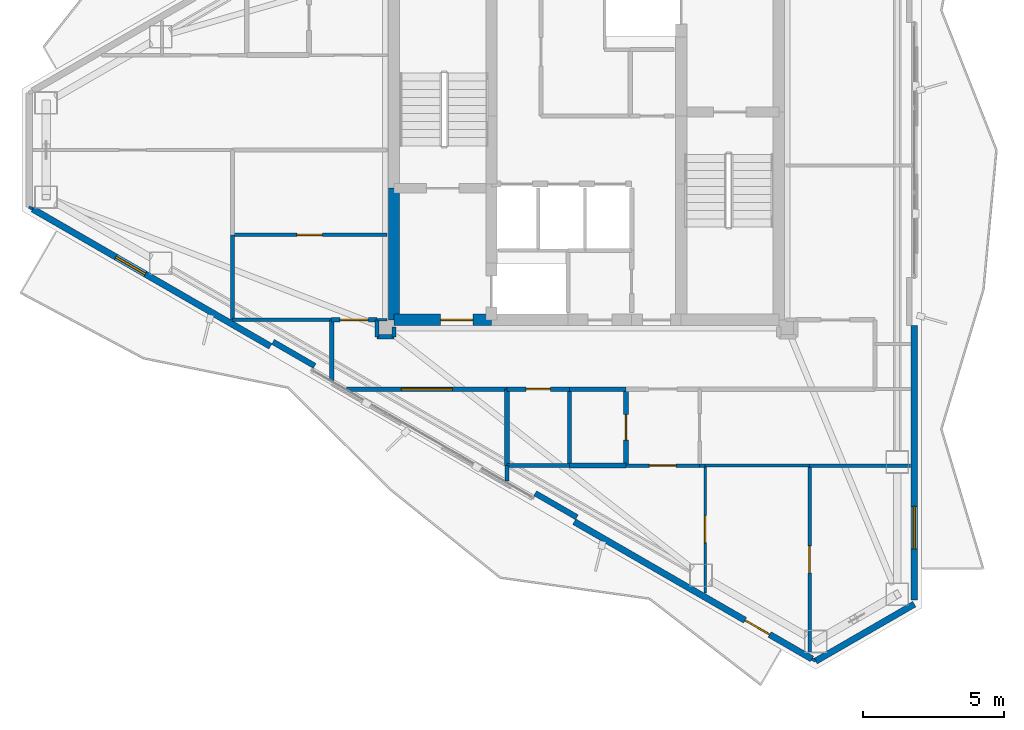
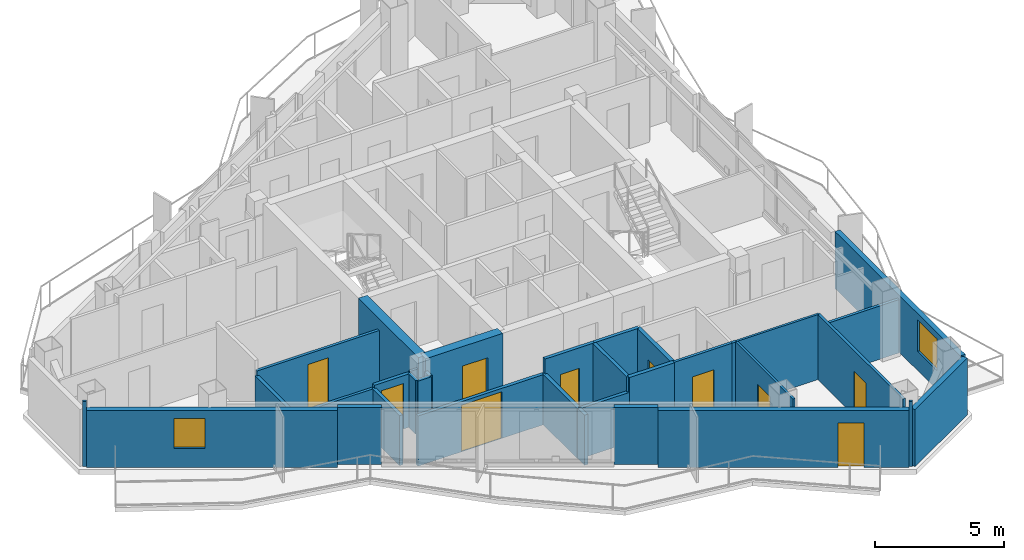
# One storey, part 16 of 22: 34 walls, 10 doors, 2 windows, 12 openings.
"""IFC4 building model written with IfcOpenShell, lengths in metres."""

from ifc_helpers import new_model, si_unit, direction, frame, frame_2d, origin, place, context, subcontext, project, spatial, rectangle, extrude, material, layer, layer_set, type_object, element, fill, save


model = new_model("IFC4")

# Units and contexts
model_context = context("Model", 3, precision=1e-05, world=origin(), true_north=direction((0.0, 1.0)))
body_context = subcontext(model_context, "Body", "Model", "MODEL_VIEW")
ifc_project = project(units=[si_unit("LENGTHUNIT", "METRE"), si_unit("AREAUNIT", "SQUARE_METRE"), si_unit("VOLUMEUNIT", "CUBIC_METRE"), si_unit("PLANEANGLEUNIT", "RADIAN"), si_unit("MASSUNIT", "GRAM", prefix="KILO")], contexts=[model_context])

# Site, building, storey
site_placement = place(None, origin())
site = spatial("IfcSite", under=ifc_project, at=site_placement, CompositionType="ELEMENT")
building_placement = place(site_placement, origin())
building = spatial("IfcBuilding", under=site, at=building_placement, Name="Mersakhor Tower and Convention Hall", CompositionType="ELEMENT")
storey_placement = place(building_placement, frame((0.0, 0.0, 198.60009765625)))
storey = spatial("IfcBuildingStorey", under=building, at=storey_placement, Name="L55", CompositionType="ELEMENT", Elevation=198.60009765625)

# Wall
ifc_material_1 = material(Name="Precast concrete C40/50", Category="concrete")
ifc_layer_1 = layer(ifc_material_1, 0.22509765625)
ifc_layer_set_1 = layer_set([ifc_layer_1], Name="Precast concrete C40/50")
wall_type_1 = type_object("IfcWallType", Name="WL-EXT-225", PredefinedType="SOLIDWALL", material=ifc_layer_set_1)
wall_1_placement = place(storey_placement, frame((40.58837890625, 10.70166015625, 0.0), z_axis=(0.0, 0.0, 1.0), x_axis=(-0.866023907196, -0.500002592159, 0.0)))
element("IfcWall", 1, at=wall_1_placement, inside=storey, type_object=wall_type_1, Name="L55 Chamfer Braced Spandrel Wall C2", PredefinedType="SOLIDWALL", context=body_context, shape_type="SweptSolid", body=[
    extrude(rectangle(XDim=4.0234375, YDim=0.22509765625, at=frame_2d((2.01171875, 0.0))), origin(), (0.0, 0.0, 1.0), 2.68994140625),
])

# Wall, opening, window
wall_2_placement = place(storey_placement, frame((40.58837890625, 20.550537109375, 0.0), z_axis=(0.0, 0.0, 1.0), x_axis=(0.0, -1.0, 0.0)))
wall_2 = element("IfcWall", 2, at=wall_2_placement, inside=storey, type_object=wall_type_1, Name="L55 Exterior Facade Wall F2-B3", PredefinedType="SOLIDWALL", context=body_context, shape_type="SweptSolid", body=[
    extrude(rectangle(XDim=9.698974609375, YDim=0.22509765625, at=frame_2d((4.849609375, 0.0))), origin(), (0.0, 0.0, 1.0), 2.68994140625),
])
opening_1_placement = place(wall_2_placement, frame((6.39501953125, 0.0, 0.89990234375)))
opening_1 = element("IfcOpeningElement", 3, at=opening_1_placement, cuts=wall_2, Name="Opening W-02", PredefinedType="OPENING", context=body_context, shape_type="SweptSolid", body=[
    extrude(rectangle(XDim=1.5, YDim=1.5, at=frame_2d((0.75, 0.75))), frame((0.0, 0.12255859375, 0.0), z_axis=(0.0, -1.0, 0.0), x_axis=(1.0, 0.0, 0.0)), (0.0, 0.0, 1.0), 0.2451171875),
])
ifc_material_2 = material(Name="Dark solar low-E glazed aluminium window", Category="aluminium")
window_type_1 = type_object("IfcWindowType", Name="WN-RES-150x150", PartitioningType="SINGLE_PANEL", PredefinedType="WINDOW", material=ifc_material_2)
window_1_placement = place(opening_1_placement, origin())
window_1 = element("IfcWindow", 4, at=window_1_placement, inside=storey, type_object=window_type_1, Name="L55 Facade Punched Window F2-B3", OverallHeight=1.5, OverallWidth=1.5, PartitioningType="SINGLE_PANEL", PredefinedType="WINDOW", context=body_context, shape_type="SweptSolid", body=[
    extrude(rectangle(XDim=1.5, YDim=1.5, at=frame_2d((0.75, 0.75))), frame((0.0, 0.030029296875, 0.0), z_axis=(0.0, -1.0, 0.0), x_axis=(1.0, 0.0, 0.0)), (0.0, 0.0, 1.0), 0.06005859375),
])
fill(opening_1, window_1)

# Wall, opening, door
wall_3_placement = place(storey_placement, frame((36.97412109375, 8.764892578125, 0.0), z_axis=(0.0, 0.0, 1.0), x_axis=(-0.866016233231, 0.500015883528, 0.0)))
wall_3 = element("IfcWall", 5, at=wall_3_placement, inside=storey, type_object=wall_type_1, Name="L55 Exterior Facade Wall F3-B1", PredefinedType="SOLIDWALL", context=body_context, shape_type="SweptSolid", body=[
    extrude(rectangle(XDim=9.698974609375, YDim=0.22509765625, at=frame_2d((4.849609375, 0.0))), origin(), (0.0, 0.0, 1.0), 2.68994140625),
])
opening_2_placement = place(wall_3_placement, frame((1.72998046875, 0.0, 0.0)))
opening_2 = element("IfcOpeningElement", 6, at=opening_2_placement, cuts=wall_3, Name="Opening BD-01", PredefinedType="OPENING", context=body_context, shape_type="SweptSolid", body=[
    extrude(rectangle(XDim=1.0, YDim=2.10009765625, at=frame_2d((0.5, 1.050048828125))), frame((0.0, 0.12255859375, 0.0), z_axis=(0.0, -1.0, 0.0), x_axis=(1.0, 0.0, 0.0)), (0.0, 0.0, 1.0), 0.2451171875),
])
ifc_material_3 = material(Name="Thermally broken dark aluminium and safety glass", Category="aluminium")
door_type_1 = type_object("IfcDoorType", Name="DR-BAL-100x210", OperationType="NOTDEFINED", PredefinedType="DOOR", material=ifc_material_3)
door_1_placement = place(opening_2_placement, origin())
door_1 = element("IfcDoor", 7, at=door_1_placement, inside=storey, type_object=door_type_1, Name="L55 Balcony Terrace Door F3-B1", OperationType="SINGLE_SWING_LEFT", OverallHeight=2.10009765625, OverallWidth=1.0, PredefinedType="DOOR", context=body_context, shape_type="SweptSolid", body=[
    extrude(rectangle(XDim=1.0, YDim=2.10009765625, at=frame_2d((0.5, 1.050048828125))), frame((0.0, 0.02490234375, 0.0), z_axis=(0.0, -1.0, 0.0), x_axis=(1.0, 0.0, 0.0)), (0.0, 0.0, 1.0), 0.050048828125),
])
fill(opening_2, door_1)

# Wall, opening, window
wall_4_placement = place(storey_placement, frame((17.8369140625, 19.81396484375, 0.0), z_axis=(0.0, 0.0, 1.0), x_axis=(-0.866027133173, 0.499997004599, 0.0)))
wall_4 = element("IfcWall", 8, at=wall_4_placement, inside=storey, type_object=wall_type_1, Name="L55 Exterior Facade Wall F3-B3", PredefinedType="SOLIDWALL", context=body_context, shape_type="SweptSolid", body=[
    extrude(rectangle(XDim=9.69873046875, YDim=0.22509765625, at=frame_2d((4.849365234375, 0.0))), origin(), (0.0, 0.0, 1.0), 2.68994140625),
])
opening_3_placement = place(wall_4_placement, frame((5.10791015625, 0.0, 0.89990234375)))
opening_3 = element("IfcOpeningElement", 9, at=opening_3_placement, cuts=wall_4, Name="Opening W-01", PredefinedType="OPENING", context=body_context, shape_type="SweptSolid", body=[
    extrude(rectangle(XDim=1.199951171875, YDim=1.39990234375, at=frame_2d((0.60009765625, 0.699951171875))), frame((0.0, 0.12255859375, 0.0), z_axis=(0.0, -1.0, 0.0), x_axis=(1.0, 0.0, 0.0)), (0.0, 0.0, 1.0), 0.2451171875),
])
ifc_material_4 = material(Name="Dark solar low-E glazed aluminium window", Category="aluminium")
window_type_2 = type_object("IfcWindowType", Name="WN-RES-120x150", PartitioningType="SINGLE_PANEL", PredefinedType="WINDOW", material=ifc_material_4)
window_2_placement = place(opening_3_placement, origin())
window_2 = element("IfcWindow", 10, at=window_2_placement, inside=storey, type_object=window_type_2, Name="L55 Bedroom Facade Window F3-B3-1", OverallHeight=1.39990234375, OverallWidth=1.199951171875, PartitioningType="SINGLE_PANEL", PredefinedType="WINDOW", context=body_context, shape_type="SweptSolid", body=[
    extrude(rectangle(XDim=1.199951171875, YDim=1.39990234375, at=frame_2d((0.60009765625, 0.699951171875))), frame((0.0, 0.030029296875, 0.0), z_axis=(0.0, -1.0, 0.0), x_axis=(1.0, 0.0, 0.0)), (0.0, 0.0, 1.0), 0.06005859375),
])
fill(opening_3, window_2)

# Walls
ifc_material_5 = material(Name="Precast concrete C40/50", Category="concrete")
ifc_layer_2 = layer(ifc_material_5, 0.199951171875)
ifc_layer_set_2 = layer_set([ifc_layer_2], Name="Precast concrete C40/50")
wall_type_2 = type_object("IfcWallType", Name="WL-PAR-200", PredefinedType="PARAPET", material=ifc_layer_set_2)
wall_5_placement = place(storey_placement, frame((28.664794921875, 13.770263671875, 0.0), z_axis=(0.0, 0.0, 1.0), x_axis=(-0.866025371046, 0.500000056704, 0.0)))
element("IfcWall", 11, at=wall_5_placement, inside=storey, type_object=wall_type_2, Name="L55 Column Pier Cladding Wall F3-C1", PredefinedType="PARAPET", context=body_context, shape_type="SweptSolid", body=[
    extrude(rectangle(XDim=1.7001953125, YDim=0.199951171875, at=frame_2d((0.85009765625, 0.0))), origin(), (0.0, 0.0, 1.0), 2.68994140625),
])
wall_6_placement = place(storey_placement, frame((19.399169921875, 19.119873046875, 0.0), z_axis=(0.0, 0.0, 1.0), x_axis=(-0.86605165483, 0.499954529098, 0.0)))
element("IfcWall", 12, at=wall_6_placement, inside=storey, type_object=wall_type_2, Name="L55 Column Pier Cladding Wall F3-C2", PredefinedType="PARAPET", context=body_context, shape_type="SweptSolid", body=[
    extrude(rectangle(XDim=1.699951171875, YDim=0.199951171875, at=frame_2d((0.85009765625, 0.0))), origin(), (0.0, 0.0, 1.0), 2.68994140625),
])

# Wall, opening, door
ifc_material_6 = material(Name="Moisture-resistant acoustic drywall studwork", Category="other")
ifc_layer_3 = layer(ifc_material_6, 0.175048828125)
ifc_layer_set_3 = layer_set([ifc_layer_3], Name="Moisture-resistant acoustic drywall studwork")
wall_type_3 = type_object("IfcWallType", Name="WL-PLM-175", PredefinedType="PLUMBINGWALL", material=ifc_layer_set_3)
wall_7_placement = place(storey_placement, frame((30.39990234375, 15.60009765625, 0.0), z_axis=(0.0, 0.0, 1.0), x_axis=(0.0, 1.0, 0.0)))
wall_7 = element("IfcWall", 13, at=wall_7_placement, inside=storey, type_object=wall_type_3, Name="L55 Interior Partition Wall P-054", PredefinedType="PLUMBINGWALL", context=body_context, shape_type="SweptSolid", body=[
    extrude(rectangle(XDim=2.699951171875, YDim=0.175048828125, at=frame_2d((1.35009765625, 0.0))), origin(), (0.0, 0.0, 1.0), 3.06982421875),
])
opening_4_placement = place(wall_7_placement, frame((0.89990234375, 0.0, 0.0)))
opening_4 = element("IfcOpeningElement", 14, at=opening_4_placement, cuts=wall_7, Name="Opening WD-01", PredefinedType="OPENING", context=body_context, shape_type="SweptSolid", body=[
    extrude(rectangle(XDim=0.89990234375, YDim=2.10009765625, at=frame_2d((0.449951171875, 1.050048828125))), frame((0.0, 0.097412109375, 0.0), z_axis=(0.0, -1.0, 0.0), x_axis=(1.0, 0.0, 0.0)), (0.0, 0.0, 1.0), 0.195068359375),
])
ifc_material_7 = material(Name="Solid-core hardwood leaf in painted steel frame", Category="steel")
door_type_2 = type_object("IfcDoorType", Name="DR-INT-WET-090x210", OperationType="NOTDEFINED", PredefinedType="DOOR", material=ifc_material_7)
door_2_placement = place(opening_4_placement, origin())
door_2 = element("IfcDoor", 15, at=door_2_placement, inside=storey, type_object=door_type_2, Name="L55 L55 Flat S3 Apartment Hall to L55 Flat S3 Bathroom Door", OperationType="SINGLE_SWING_RIGHT", OverallHeight=2.10009765625, OverallWidth=0.89990234375, PredefinedType="DOOR", context=body_context, shape_type="SweptSolid", body=[
    extrude(rectangle(XDim=0.89990234375, YDim=2.10009765625, at=frame_2d((0.449951171875, 1.050048828125))), frame((0.0, 0.02490234375, 0.0), z_axis=(0.0, -1.0, 0.0), x_axis=(1.0, 0.0, 0.0)), (0.0, 0.0, 1.0), 0.050048828125),
])
fill(opening_4, door_2)

# Walls
wall_8_placement = place(storey_placement, frame((26.199951171875, 15.60009765625, 0.0), z_axis=(0.0, 0.0, 1.0), x_axis=(0.0, 1.0, 0.0)))
element("IfcWall", 16, at=wall_8_placement, inside=storey, type_object=wall_type_3, Name="L55 Interior Partition Wall P-061", PredefinedType="PLUMBINGWALL", context=body_context, shape_type="SweptSolid", body=[
    extrude(rectangle(XDim=2.699951171875, YDim=0.175048828125, at=frame_2d((1.35009765625, 0.0))), origin(), (0.0, 0.0, 1.0), 2.364990234375),
])
wall_9_placement = place(storey_placement, frame((30.39990234375, 15.60009765625, 0.0), z_axis=(0.0, 0.0, 1.0), x_axis=(-1.0, 0.0, 0.0)))
element("IfcWall", 17, at=wall_9_placement, inside=storey, type_object=wall_type_3, Name="L55 Interior Partition Wall P-071", PredefinedType="PLUMBINGWALL", context=body_context, shape_type="SweptSolid", body=[
    extrude(rectangle(XDim=2.0, YDim=0.175048828125, at=frame_2d((1.0, 0.0))), origin(), (0.0, 0.0, 1.0), 3.06982421875),
])
ifc_material_8 = material(Name="Lightweight gypsum partition", Category="other")
ifc_layer_4 = layer(ifc_material_8, 0.10009765625)
ifc_layer_set_4 = layer_set([ifc_layer_4], Name="Lightweight gypsum partition")
wall_type_4 = type_object("IfcWallType", Name="WL-PRT-100", PredefinedType="PARTITIONING", material=ifc_layer_set_4)
wall_10_placement = place(storey_placement, frame((36.889892578125, 15.60009765625, 0.0), z_axis=(0.0, 0.0, 1.0), x_axis=(-1.0, 0.0, 0.0)))
element("IfcWall", 18, at=wall_10_placement, inside=storey, type_object=wall_type_4, Name="L55 Interior Partition Wall P-074", PredefinedType="PARTITIONING", context=body_context, shape_type="SweptSolid", body=[
    extrude(rectangle(XDim=3.68994140625, YDim=0.10009765625, at=frame_2d((1.844970703125, 0.0))), origin(), (0.0, 0.0, 1.0), 3.06982421875),
])
wall_11_placement = place(storey_placement, frame((21.949951171875, 20.75, 0.0), z_axis=(0.0, 0.0, 1.0), x_axis=(-1.0, 0.0, 0.0)))
element("IfcWall", 19, at=wall_11_placement, inside=storey, type_object=wall_type_4, Name="L55 Interior Partition Wall P-084", PredefinedType="PARTITIONING", context=body_context, shape_type="SweptSolid", body=[
    extrude(rectangle(XDim=0.349853515625, YDim=0.10009765625, at=frame_2d((0.1748046875, 0.0))), origin(), (0.0, 0.0, 1.0), 2.594970703125),
])

# Wall, opening, door
wall_12_placement = place(storey_placement, frame((33.199951171875, 15.60009765625, 0.0), z_axis=(0.0, 0.0, 1.0), x_axis=(0.0, -1.0, 0.0)))
wall_12 = element("IfcWall", 20, at=wall_12_placement, inside=storey, type_object=wall_type_4, Name="L55 Interior Partition Wall P-100", PredefinedType="PARTITIONING", context=body_context, shape_type="SweptSolid", body=[
    extrude(rectangle(XDim=4.49853515625, YDim=0.10009765625, at=frame_2d((2.249267578125, 0.0))), origin(), (0.0, 0.0, 1.0), 3.06982421875),
])
opening_5_placement = place(wall_12_placement, frame((1.774169921875, 0.0, 0.0)))
opening_5 = element("IfcOpeningElement", 21, at=opening_5_placement, cuts=wall_12, Name="Opening RD-01", PredefinedType="OPENING", context=body_context, shape_type="SweptSolid", body=[
    extrude(rectangle(XDim=0.949951171875, YDim=2.10009765625, at=frame_2d((0.47509765625, 1.050048828125))), frame((0.0, 0.06005859375, 0.0), z_axis=(0.0, -1.0, 0.0), x_axis=(1.0, 0.0, 0.0)), (0.0, 0.0, 1.0), 0.1201171875),
])
ifc_material_9 = material(Name="Solid-core hardwood leaf in painted steel frame", Category="steel")
door_type_3 = type_object("IfcDoorType", Name="DR-INT-RM-095x210", OperationType="NOTDEFINED", PredefinedType="DOOR", material=ifc_material_9)
door_3_placement = place(opening_5_placement, origin())
door_3 = element("IfcDoor", 22, at=door_3_placement, inside=storey, type_object=door_type_3, Name="L55 L55 Flat S3 Living and Dining Room to L55 Flat S3 Bedroom 1 Door", OperationType="SINGLE_SWING_LEFT", OverallHeight=2.10009765625, OverallWidth=0.949951171875, PredefinedType="DOOR", context=body_context, shape_type="SweptSolid", body=[
    extrude(rectangle(XDim=0.949951171875, YDim=2.10009765625, at=frame_2d((0.47509765625, 1.050048828125))), frame((0.0, 0.02490234375, 0.0), z_axis=(0.0, -1.0, 0.0), x_axis=(1.0, 0.0, 0.0)), (0.0, 0.0, 1.0), 0.050048828125),
])
fill(opening_5, door_3)

# Walls
wall_13_placement = place(storey_placement, frame((37.10400390625, 8.68994140625, 0.0), z_axis=(0.0, 0.0, 1.0), x_axis=(-0.865017048845, 0.50174246901, 0.0)))
element("IfcWall", 23, at=wall_13_placement, inside=storey, type_object=wall_type_4, Name="L55 Interior Partition Wall P-102", PredefinedType="PARTITIONING", context=body_context, shape_type="SweptSolid", body=[
    extrude(rectangle(XDim=0.14990234375, YDim=0.10009765625, at=frame_2d((0.074951171875, 0.0))), origin(), (0.0, 0.0, 1.0), 3.06982421875),
])
wall_14_placement = place(storey_placement, frame((9.43701171875, 24.662841796875, 0.0), z_axis=(0.0, 0.0, 1.0), x_axis=(-0.865833797362, 0.500331725305, 0.0)))
element("IfcWall", 24, at=wall_14_placement, inside=storey, type_object=wall_type_4, Name="L55 Interior Partition Wall P-106", PredefinedType="PARTITIONING", context=body_context, shape_type="SweptSolid", body=[
    extrude(rectangle(XDim=0.150390625, YDim=0.10009765625, at=frame_2d((0.0751953125, 0.0))), origin(), (0.0, 0.0, 1.0), 3.06982421875),
])

# Wall, opening, door
ifc_material_10 = material(Name="Gypsum board acoustic partition", Category="other")
ifc_layer_5 = layer(ifc_material_10, 0.125)
ifc_layer_set_5 = layer_set([ifc_layer_5], Name="Gypsum board acoustic partition")
wall_type_5 = type_object("IfcWallType", Name="WL-PRT-125", PredefinedType="PARTITIONING", material=ifc_layer_set_5)
wall_15_placement = place(storey_placement, frame((33.0, 15.60009765625, 0.0), z_axis=(0.0, 0.0, 1.0), x_axis=(-1.0, 0.0, 0.0)))
wall_15 = element("IfcWall", 25, at=wall_15_placement, inside=storey, type_object=wall_type_5, Name="L55 Interior Partition Wall P-053", PredefinedType="PARTITIONING", context=body_context, shape_type="SweptSolid", body=[
    extrude(rectangle(XDim=2.60009765625, YDim=0.125, at=frame_2d((1.300048828125, 0.0))), origin(), (0.0, 0.0, 1.0), 3.06982421875),
])
opening_6_placement = place(wall_15_placement, frame((0.824951171875, 0.0, 0.0)))
opening_6 = element("IfcOpeningElement", 26, at=opening_6_placement, cuts=wall_15, Name="Opening RD-01", PredefinedType="OPENING", context=body_context, shape_type="SweptSolid", body=[
    extrude(rectangle(XDim=0.949951171875, YDim=2.10009765625, at=frame_2d((0.47509765625, 1.050048828125))), frame((0.0, 0.072509765625, 0.0), z_axis=(0.0, -1.0, 0.0), x_axis=(1.0, 0.0, 0.0)), (0.0, 0.0, 1.0), 0.14501953125),
])
door_4_placement = place(opening_6_placement, origin())
door_4 = element("IfcDoor", 27, at=door_4_placement, inside=storey, type_object=door_type_3, Name="L55 L55 Flat S3 Apartment Hall to L55 Flat S3 Living and Dining Room Door", OperationType="SINGLE_SWING_RIGHT", OverallHeight=2.10009765625, OverallWidth=0.949951171875, PredefinedType="DOOR", context=body_context, shape_type="SweptSolid", body=[
    extrude(rectangle(XDim=0.949951171875, YDim=2.10009765625, at=frame_2d((0.47509765625, 1.050048828125))), frame((0.0, 0.02490234375, 0.0), z_axis=(0.0, -1.0, 0.0), x_axis=(1.0, 0.0, 0.0)), (0.0, 0.0, 1.0), 0.050048828125),
])
fill(opening_6, door_4)

# Walls
wall_16_placement = place(storey_placement, frame((40.451904296875, 15.60009765625, 0.0), z_axis=(0.0, 0.0, 1.0), x_axis=(-1.0, 0.0, 0.0)))
element("IfcWall", 28, at=wall_16_placement, inside=storey, type_object=wall_type_5, Name="L55 Interior Partition Wall P-073", PredefinedType="PARTITIONING", context=body_context, shape_type="SweptSolid", body=[
    extrude(rectangle(XDim=3.56201171875, YDim=0.125, at=frame_2d((1.781005859375, 0.0))), origin(), (0.0, 0.0, 1.0), 2.518310546875),
])
wall_17_placement = place(storey_placement, frame((33.199951171875, 15.60009765625, 0.0), z_axis=(0.0, 0.0, 1.0), x_axis=(-1.0, 0.0, 0.0)))
element("IfcWall", 29, at=wall_17_placement, inside=storey, type_object=wall_type_5, Name="L55 Interior Partition Wall P-075", PredefinedType="PARTITIONING", context=body_context, shape_type="SweptSolid", body=[
    extrude(rectangle(XDim=0.199951171875, YDim=0.125, at=frame_2d((0.10009765625, 0.0))), origin(), (0.0, 0.0, 1.0), 3.06982421875),
])
wall_18_placement = place(storey_placement, frame((20.0, 20.75, 0.0), z_axis=(0.0, 0.0, 1.0), x_axis=(-1.0, 0.0, 0.0)))
element("IfcWall", 30, at=wall_18_placement, inside=storey, type_object=wall_type_5, Name="L55 Interior Partition Wall P-085", PredefinedType="PARTITIONING", context=body_context, shape_type="SweptSolid", body=[
    extrude(rectangle(XDim=3.5, YDim=0.125, at=frame_2d((1.75, 0.0))), origin(), (0.0, 0.0, 1.0), 2.364990234375),
])

# Wall, opening, door
wall_19_placement = place(storey_placement, frame((16.5, 23.75, 0.0), z_axis=(0.0, 0.0, 1.0), x_axis=(1.0, 0.0, 0.0)))
wall_19 = element("IfcWall", 31, at=wall_19_placement, inside=storey, type_object=wall_type_5, Name="L55 Interior Partition Wall P-087", PredefinedType="PARTITIONING", context=body_context, shape_type="SweptSolid", body=[
    extrude(rectangle(XDim=5.449951171875, YDim=0.125, at=frame_2d((2.72509765625, 0.0))), origin(), (0.0, 0.0, 1.0), 2.594970703125),
])
opening_7_placement = place(wall_19_placement, frame((2.27490234375, 0.0, 0.0)))
opening_7 = element("IfcOpeningElement", 32, at=opening_7_placement, cuts=wall_19, Name="Opening WD-01", PredefinedType="OPENING", context=body_context, shape_type="SweptSolid", body=[
    extrude(rectangle(XDim=0.89990234375, YDim=2.10009765625, at=frame_2d((0.449951171875, 1.050048828125))), frame((0.0, 0.072509765625, 0.0), z_axis=(0.0, -1.0, 0.0), x_axis=(1.0, 0.0, 0.0)), (0.0, 0.0, 1.0), 0.14501953125),
])
door_5_placement = place(opening_7_placement, origin())
door_5 = element("IfcDoor", 33, at=door_5_placement, inside=storey, type_object=door_type_2, Name="L55 L55 West Wing Quiet Study Room to L55 West Wing Quiet Study Room Annex Door", OperationType="SINGLE_SWING_RIGHT", OverallHeight=2.10009765625, OverallWidth=0.89990234375, PredefinedType="DOOR", context=body_context, shape_type="SweptSolid", body=[
    extrude(rectangle(XDim=0.89990234375, YDim=2.10009765625, at=frame_2d((0.449951171875, 1.050048828125))), frame((0.0, 0.02490234375, 0.0), z_axis=(0.0, -1.0, 0.0), x_axis=(1.0, 0.0, 0.0)), (0.0, 0.0, 1.0), 0.050048828125),
])
fill(opening_7, door_5)

wall_20_placement = place(storey_placement, frame((36.889892578125, 15.60009765625, 0.0), z_axis=(0.0, 0.0, 1.0), x_axis=(0.0, -1.0, 0.0)))
wall_20 = element("IfcWall", 34, at=wall_20_placement, inside=storey, type_object=wall_type_5, Name="L55 Interior Partition Wall P-101", PredefinedType="PARTITIONING", context=body_context, shape_type="SweptSolid", body=[
    extrude(rectangle(XDim=6.62890625, YDim=0.125, at=frame_2d((3.314453125, 0.0))), origin(), (0.0, 0.0, 1.0), 3.06982421875),
])
opening_8_placement = place(wall_20_placement, frame((2.83935546875, 0.0, 0.0)))
opening_8 = element("IfcOpeningElement", 35, at=opening_8_placement, cuts=wall_20, Name="Opening RD-01", PredefinedType="OPENING", context=body_context, shape_type="SweptSolid", body=[
    extrude(rectangle(XDim=0.949951171875, YDim=2.10009765625, at=frame_2d((0.47509765625, 1.050048828125))), frame((0.0, 0.072509765625, 0.0), z_axis=(0.0, -1.0, 0.0), x_axis=(1.0, 0.0, 0.0)), (0.0, 0.0, 1.0), 0.14501953125),
])
door_6_placement = place(opening_8_placement, origin())
door_6 = element("IfcDoor", 36, at=door_6_placement, inside=storey, type_object=door_type_3, Name="L55 L55 Flat S3 Bedroom 1 to L55 Flat S3 Study Room Door", OperationType="SINGLE_SWING_RIGHT", OverallHeight=2.10009765625, OverallWidth=0.949951171875, PredefinedType="DOOR", context=body_context, shape_type="SweptSolid", body=[
    extrude(rectangle(XDim=0.949951171875, YDim=2.10009765625, at=frame_2d((0.47509765625, 1.050048828125))), frame((0.0, 0.02490234375, 0.0), z_axis=(0.0, -1.0, 0.0), x_axis=(1.0, 0.0, 0.0)), (0.0, 0.0, 1.0), 0.050048828125),
])
fill(opening_8, door_6)

ifc_material_11 = material(Name="Fire-rated gypsum board stud partition", Category="other")
ifc_layer_6 = layer(ifc_material_11, 0.14990234375)
ifc_layer_set_6 = layer_set([ifc_layer_6], Name="Fire-rated gypsum board stud partition")
wall_type_6 = type_object("IfcWallType", Name="WL-PRT-150", PredefinedType="PARTITIONING", material=ifc_layer_set_6)
wall_21_placement = place(storey_placement, frame((20.0, 20.75, 0.0), z_axis=(0.0, 0.0, 1.0), x_axis=(1.0, 0.0, 0.0)))
wall_21 = element("IfcWall", 37, at=wall_21_placement, inside=storey, type_object=wall_type_6, Name="L55 Interior Partition Wall P-034", PredefinedType="PARTITIONING", context=body_context, shape_type="SweptSolid", body=[
    extrude(rectangle(XDim=1.60009765625, YDim=0.14990234375, at=frame_2d((0.800048828125, 0.0))), origin(), (0.0, 0.0, 1.0), 2.518310546875),
])
opening_9_placement = place(wall_21_placement, frame((0.300048828125, 0.0, 0.0)))
opening_9 = element("IfcOpeningElement", 38, at=opening_9_placement, cuts=wall_21, Name="Opening FD-01", PredefinedType="OPENING", context=body_context, shape_type="SweptSolid", body=[
    extrude(rectangle(XDim=1.0, YDim=2.14990234375, at=frame_2d((0.5, 1.074951171875))), frame((0.0, 0.0849609375, 0.0), z_axis=(0.0, -1.0, 0.0), x_axis=(1.0, 0.0, 0.0)), (0.0, 0.0, 1.0), 0.169921875),
])
ifc_material_12 = material(Name="Fire-rated hardwood leaf and painted steel frame", Category="steel")
door_type_4 = type_object("IfcDoorType", Name="DR-INT-FLT-100x215", OperationType="NOTDEFINED", PredefinedType="DOOR", material=ifc_material_12)
door_7_placement = place(opening_9_placement, origin())
door_7 = element("IfcDoor", 39, at=door_7_placement, inside=storey, type_object=door_type_4, Name="L55 Residential South Gallery Corridor to L55 West Wing Quiet Study Room Door", OperationType="SINGLE_SWING_LEFT", OverallHeight=2.14990234375, OverallWidth=1.0, PredefinedType="DOOR", context=body_context, shape_type="SweptSolid", body=[
    extrude(rectangle(XDim=1.0, YDim=2.14990234375, at=frame_2d((0.5, 1.074951171875))), frame((0.0, 0.02490234375, 0.0), z_axis=(0.0, -1.0, 0.0), x_axis=(1.0, 0.0, 0.0)), (0.0, 0.0, 1.0), 0.050048828125),
])
fill(opening_9, door_7)

# Walls
wall_22_placement = place(storey_placement, frame((21.60009765625, 20.75, 0.0), z_axis=(0.0, 0.0, 1.0), x_axis=(0.0, -1.0, 0.0)))
element("IfcWall", 40, at=wall_22_placement, inside=storey, type_object=wall_type_6, Name="L55 Interior Partition Wall P-035", PredefinedType="PARTITIONING", context=body_context, shape_type="SweptSolid", body=[
    extrude(rectangle(XDim=0.60009765625, YDim=0.14990234375, at=frame_2d((0.300048828125, 0.0))), origin(), (0.0, 0.0, 1.0), 2.518310546875),
])
wall_23_placement = place(storey_placement, frame((21.60009765625, 20.14990234375, 0.0), z_axis=(0.0, 0.0, 1.0), x_axis=(1.0, 0.0, 0.0)))
element("IfcWall", 41, at=wall_23_placement, inside=storey, type_object=wall_type_6, Name="L55 Interior Partition Wall P-036", PredefinedType="PARTITIONING", context=body_context, shape_type="SweptSolid", body=[
    extrude(rectangle(XDim=0.599853515625, YDim=0.14990234375, at=frame_2d((0.2998046875, 0.0))), origin(), (0.0, 0.0, 1.0), 2.518310546875),
])
wall_24_placement = place(storey_placement, frame((22.199951171875, 20.14990234375, 0.0), z_axis=(0.0, 0.0, 1.0), x_axis=(0.0, 1.0, 0.0)))
element("IfcWall", 42, at=wall_24_placement, inside=storey, type_object=wall_type_6, Name="L55 Interior Partition Wall P-037", PredefinedType="PARTITIONING", context=body_context, shape_type="SweptSolid", body=[
    extrude(rectangle(XDim=0.35009765625, YDim=0.14990234375, at=frame_2d((0.175048828125, 0.0))), origin(), (0.0, 0.0, 1.0), 2.518310546875),
])
wall_25_placement = place(storey_placement, frame((30.39990234375, 18.300048828125, 0.0), z_axis=(0.0, 0.0, 1.0), x_axis=(-1.0, 0.0, 0.0)))
element("IfcWall", 43, at=wall_25_placement, inside=storey, type_object=wall_type_6, Name="L55 Interior Partition Wall P-046", PredefinedType="PARTITIONING", context=body_context, shape_type="SweptSolid", body=[
    extrude(rectangle(XDim=2.0, YDim=0.14990234375, at=frame_2d((1.0, 0.0))), origin(), (0.0, 0.0, 1.0), 3.06982421875),
])

# Wall, opening, door
wall_26_placement = place(storey_placement, frame((28.39990234375, 18.300048828125, 0.0), z_axis=(0.0, 0.0, 1.0), x_axis=(-1.0, 0.0, 0.0)))
wall_26 = element("IfcWall", 44, at=wall_26_placement, inside=storey, type_object=wall_type_6, Name="L55 Interior Partition Wall P-047", PredefinedType="PARTITIONING", context=body_context, shape_type="SweptSolid", body=[
    extrude(rectangle(XDim=2.199951171875, YDim=0.14990234375, at=frame_2d((1.10009765625, 0.0))), origin(), (0.0, 0.0, 1.0), 3.06982421875),
])
opening_10_placement = place(wall_26_placement, frame((0.675048828125, 0.0, 0.0)))
opening_10 = element("IfcOpeningElement", 45, at=opening_10_placement, cuts=wall_26, Name="Opening SVD-01", PredefinedType="OPENING", context=body_context, shape_type="SweptSolid", body=[
    extrude(rectangle(XDim=0.85009765625, YDim=2.10009765625, at=frame_2d((0.425048828125, 1.050048828125))), frame((0.0, 0.0849609375, 0.0), z_axis=(0.0, -1.0, 0.0), x_axis=(1.0, 0.0, 0.0)), (0.0, 0.0, 1.0), 0.169921875),
])
ifc_material_13 = material(Name="Fire-rated hardwood leaf and painted steel frame", Category="steel")
door_type_5 = type_object("IfcDoorType", Name="DR-INT-SVC-085x210", OperationType="NOTDEFINED", PredefinedType="DOOR", material=ifc_material_13)
door_8_placement = place(opening_10_placement, origin())
door_8 = element("IfcDoor", 46, at=door_8_placement, inside=storey, type_object=door_type_5, Name="L55 Residential South Gallery Corridor to L55 South Wing Public Toilet WC Door", OperationType="SINGLE_SWING_RIGHT", OverallHeight=2.10009765625, OverallWidth=0.85009765625, PredefinedType="DOOR", context=body_context, shape_type="SweptSolid", body=[
    extrude(rectangle(XDim=0.85009765625, YDim=2.10009765625, at=frame_2d((0.425048828125, 1.050048828125))), frame((0.0, 0.02490234375, 0.0), z_axis=(0.0, -1.0, 0.0), x_axis=(1.0, 0.0, 0.0)), (0.0, 0.0, 1.0), 0.050048828125),
])
fill(opening_10, door_8)

wall_27_placement = place(storey_placement, frame((26.199951171875, 18.300048828125, 0.0), z_axis=(0.0, 0.0, 1.0), x_axis=(-1.0, 0.0, 0.0)))
wall_27 = element("IfcWall", 47, at=wall_27_placement, inside=storey, type_object=wall_type_6, Name="L55 Interior Partition Wall P-048", PredefinedType="PARTITIONING", context=body_context, shape_type="SweptSolid", body=[
    extrude(rectangle(XDim=5.671630859375, YDim=0.14990234375, at=frame_2d((2.8359375, 0.0))), origin(), (0.0, 0.0, 1.0), 2.364990234375),
])
opening_11_placement = place(wall_27_placement, frame((1.935791015625, 0.0, 0.0)))
opening_11 = element("IfcOpeningElement", 48, at=opening_11_placement, cuts=wall_27, Name="Opening HD-01", PredefinedType="OPENING", context=body_context, shape_type="SweptSolid", body=[
    extrude(rectangle(XDim=1.800048828125, YDim=2.199951171875, at=frame_2d((0.89990234375, 1.10009765625))), frame((0.0, 0.0849609375, 0.0), z_axis=(0.0, -1.0, 0.0), x_axis=(1.0, 0.0, 0.0)), (0.0, 0.0, 1.0), 0.169921875),
])
ifc_material_14 = material(Name="Fire-rated hardwood leaf and painted steel frame", Category="steel")
door_type_6 = type_object("IfcDoorType", Name="DR-INT-HALL-180x220", OperationType="NOTDEFINED", PredefinedType="DOOR", material=ifc_material_14)
door_9_placement = place(opening_11_placement, origin())
door_9 = element("IfcDoor", 49, at=door_9_placement, inside=storey, type_object=door_type_6, Name="L55 Residential South Gallery Corridor to L55 South Wing Residents Reading Library Door", OperationType="DOUBLE_DOOR_SINGLE_SWING", OverallHeight=2.199951171875, OverallWidth=1.800048828125, PredefinedType="DOOR", context=body_context, shape_type="SweptSolid", body=[
    extrude(rectangle(XDim=1.800048828125, YDim=2.199951171875, at=frame_2d((0.89990234375, 1.10009765625))), frame((0.0, 0.02490234375, 0.0), z_axis=(0.0, -1.0, 0.0), x_axis=(1.0, 0.0, 0.0)), (0.0, 0.0, 1.0), 0.050048828125),
])
fill(opening_11, door_9)

# Walls
wall_28_placement = place(storey_placement, frame((20.0, 18.60888671875, 0.0), z_axis=(0.0, 0.0, 1.0), x_axis=(0.0, 1.0, 0.0)))
element("IfcWall", 50, at=wall_28_placement, inside=storey, type_object=wall_type_6, Name="L55 Interior Partition Wall P-049", PredefinedType="PARTITIONING", context=body_context, shape_type="SweptSolid", body=[
    extrude(rectangle(XDim=2.14111328125, YDim=0.14990234375, at=frame_2d((1.070556640625, 0.0))), origin(), (0.0, 0.0, 1.0), 2.364990234375),
])
wall_29_placement = place(storey_placement, frame((28.39990234375, 15.60009765625, 0.0), z_axis=(0.0, 0.0, 1.0), x_axis=(-1.0, 0.0, 0.0)))
element("IfcWall", 51, at=wall_29_placement, inside=storey, type_object=wall_type_6, Name="L55 Interior Partition Wall P-060", PredefinedType="PARTITIONING", context=body_context, shape_type="SweptSolid", body=[
    extrude(rectangle(XDim=2.199951171875, YDim=0.14990234375, at=frame_2d((1.10009765625, 0.0))), origin(), (0.0, 0.0, 1.0), 2.364990234375),
])
wall_30_placement = place(storey_placement, frame((28.39990234375, 18.300048828125, 0.0), z_axis=(0.0, 0.0, 1.0), x_axis=(0.0, -1.0, 0.0)))
element("IfcWall", 52, at=wall_30_placement, inside=storey, type_object=wall_type_6, Name="L55 Interior Partition Wall P-062", PredefinedType="PARTITIONING", context=body_context, shape_type="SweptSolid", body=[
    extrude(rectangle(XDim=2.699951171875, YDim=0.14990234375, at=frame_2d((1.35009765625, 0.0))), origin(), (0.0, 0.0, 1.0), 3.06982421875),
])
wall_31_placement = place(storey_placement, frame((26.199951171875, 15.60009765625, 0.0), z_axis=(0.0, 0.0, 1.0), x_axis=(0.0, -1.0, 0.0)))
element("IfcWall", 53, at=wall_31_placement, inside=storey, type_object=wall_type_6, Name="L55 Interior Partition Wall P-083", PredefinedType="PARTITIONING", context=body_context, shape_type="SweptSolid", body=[
    extrude(rectangle(XDim=0.540771484375, YDim=0.14990234375, at=frame_2d((0.2705078125, 0.0))), origin(), (0.0, 0.0, 1.0), 2.364990234375),
])
wall_32_placement = place(storey_placement, frame((16.5, 20.743408203125, 0.0), z_axis=(0.0, 0.0, 1.0), x_axis=(0.0, 1.0, 0.0)))
element("IfcWall", 54, at=wall_32_placement, inside=storey, type_object=wall_type_6, Name="L55 Interior Partition Wall P-086", PredefinedType="PARTITIONING", context=body_context, shape_type="SweptSolid", body=[
    extrude(rectangle(XDim=3.006591796875, YDim=0.14990234375, at=frame_2d((1.50341796875, 0.0))), origin(), (0.0, 0.0, 1.0), 2.364990234375),
])
ifc_material_15 = material(Name="Concrete C60/75", Category="concrete")
ifc_layer_7 = layer(ifc_material_15, 0.39990234375)
ifc_layer_set_7 = layer_set([ifc_layer_7], Name="Concrete C60/75")
wall_type_7 = type_object("IfcWallType", Name="WL-SHR-400", PredefinedType="SHEAR", material=ifc_layer_set_7)
wall_33_placement = place(storey_placement, frame((22.199951171875, 20.75, 0.0), z_axis=(0.0, 0.0, 1.0), x_axis=(0.0, 1.0, 0.0)))
element("IfcWall", 55, at=wall_33_placement, inside=storey, type_object=wall_type_7, Name="L55 Core Wall CW-W1", PredefinedType="SHEAR", context=body_context, shape_type="SweptSolid", body=[
    extrude(rectangle(XDim=4.64990234375, YDim=0.39990234375, at=frame_2d((2.324951171875, 0.0))), origin(), (0.0, 0.0, 1.0), 3.06982421875),
])

# Wall, opening, door
wall_34_placement = place(storey_placement, frame((25.64990234375, 20.75, 0.0), z_axis=(0.0, 0.0, 1.0), x_axis=(-1.0, 0.0, 0.0)))
wall_34 = element("IfcWall", 56, at=wall_34_placement, inside=storey, type_object=wall_type_7, Name="L55 Core Wall CW-S4", PredefinedType="SHEAR", context=body_context, shape_type="SweptSolid", body=[
    extrude(rectangle(XDim=3.449951171875, YDim=0.39990234375, at=frame_2d((1.72509765625, 0.0))), origin(), (0.0, 0.0, 1.0), 3.06982421875),
])
opening_12_placement = place(wall_34_placement, frame((0.64990234375, 0.0, 0.0)))
opening_12 = element("IfcOpeningElement", 57, at=opening_12_placement, cuts=wall_34, Name="Opening SD-01", PredefinedType="OPENING", context=body_context, shape_type="SweptSolid", body=[
    extrude(rectangle(XDim=1.14990234375, YDim=2.14990234375, at=frame_2d((0.574951171875, 1.074951171875))), frame((0.0, 0.2099609375, 0.0), z_axis=(0.0, -1.0, 0.0), x_axis=(1.0, 0.0, 0.0)), (0.0, 0.0, 1.0), 0.419921875),
])
ifc_material_16 = material(Name="Fire-rated hardwood leaf and painted steel frame", Category="steel")
door_type_7 = type_object("IfcDoorType", Name="DR-INT-STAIR-115x215", OperationType="NOTDEFINED", PredefinedType="DOOR", material=ifc_material_16)
door_10_placement = place(opening_12_placement, origin())
door_10 = element("IfcDoor", 58, at=door_10_placement, inside=storey, type_object=door_type_7, Name="L55 Firefighting Lobby West Fire Door", OperationType="SINGLE_SWING_LEFT", OverallHeight=2.14990234375, OverallWidth=1.14990234375, PredefinedType="DOOR", context=body_context, shape_type="SweptSolid", body=[
    extrude(rectangle(XDim=1.14990234375, YDim=2.14990234375, at=frame_2d((0.574951171875, 1.074951171875))), frame((0.0, 0.02490234375, 0.0), z_axis=(0.0, -1.0, 0.0), x_axis=(1.0, 0.0, 0.0)), (0.0, 0.0, 1.0), 0.050048828125),
])
fill(opening_12, door_10)

save(model, "model.ifc")
